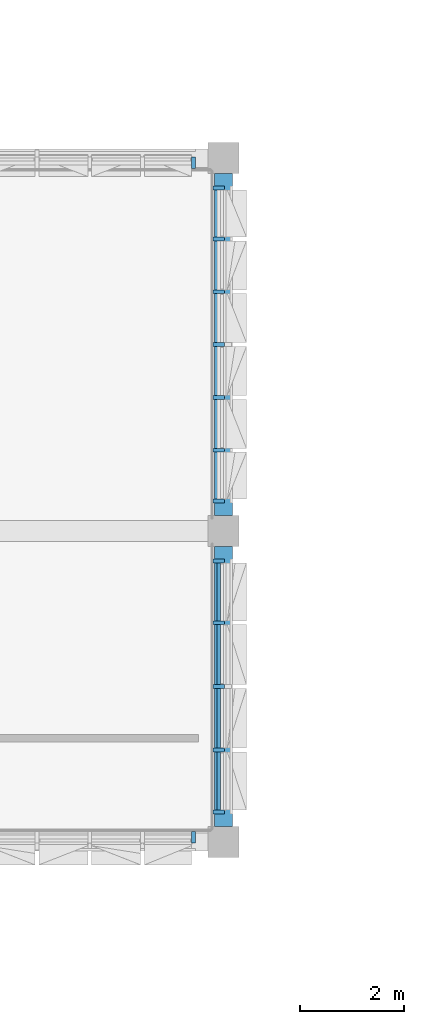
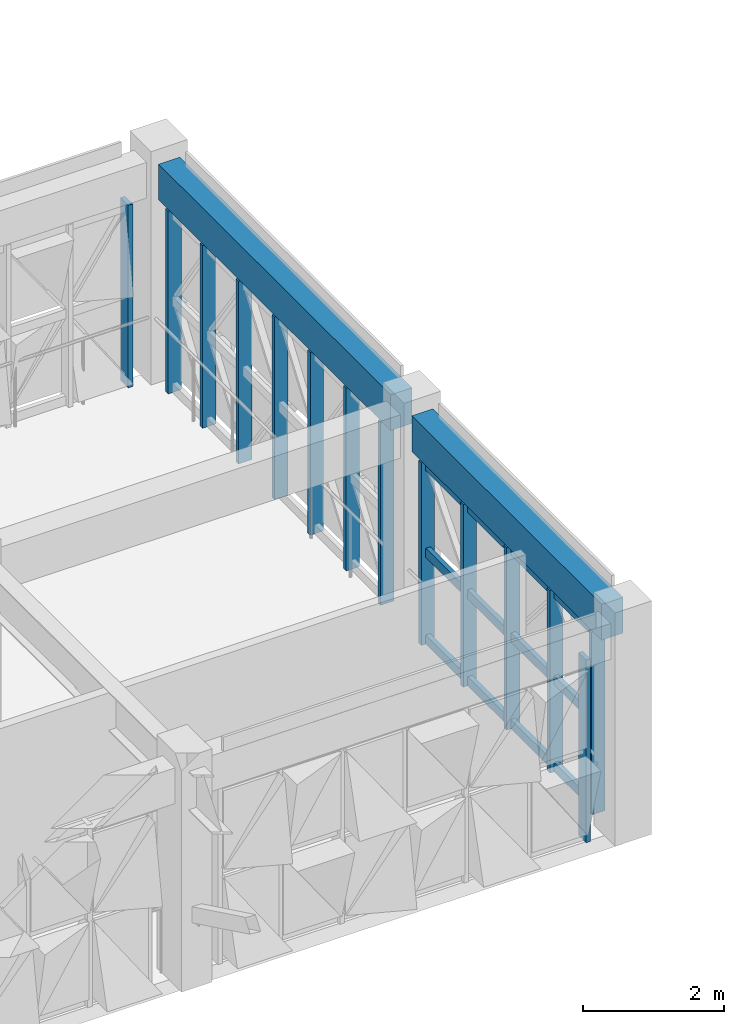
# One storey, part 15 of 88: 26 members, 2 beams, 4 elements without a shape of their own.
"""IFC4 building model written with IfcOpenShell, lengths in metres."""

from ifc_helpers import new_model, si_unit, direction, frame, origin, origin_2d, place, context, subcontext, project, spatial, rectangle, extrude, material, material_profile, profile_set, type_object, element, aggregate, save


model = new_model("IFC4")

# Units and contexts
model_context = context("Model", 3, precision=1e-05, world=origin(), true_north=direction((0.0, 1.0)))
body_context = subcontext(model_context, "Body", "Model", "MODEL_VIEW")
ifc_project = project(units=[si_unit("LENGTHUNIT", "METRE"), si_unit("AREAUNIT", "SQUARE_METRE"), si_unit("VOLUMEUNIT", "CUBIC_METRE"), si_unit("PLANEANGLEUNIT", "RADIAN"), si_unit("MASSUNIT", "GRAM", prefix="KILO")], contexts=[model_context])

# Site, building, storey
site_placement = place(None, origin())
site = spatial("IfcSite", under=ifc_project, at=site_placement, CompositionType="ELEMENT")
building_placement = place(site_placement, origin())
building = spatial("IfcBuilding", under=site, at=building_placement, Name="Alvorim Cloister Faculty of Sciences", CompositionType="ELEMENT")
storey_placement = place(building_placement, frame((0.0, 0.0, 4.5)))
storey = spatial("IfcBuildingStorey", under=building, at=storey_placement, Name="L01", CompositionType="ELEMENT", Elevation=4.5)

# Beams
ifc_material_1 = material(Name="Concrete C40", Category="concrete")
ifc_material_profile_1 = material_profile(ifc_material_1, rectangle(XDim=0.35009765625, YDim=0.6201171875, at=origin_2d()), Name="RC40-SPD-350x620")
ifc_profile_set_1 = profile_set([ifc_material_profile_1], Name="Concrete C40")
beam_type = type_object("IfcBeamType", Name="BM-SPD-RC-350x620", PredefinedType="SPANDREL", material=ifc_profile_set_1)
beam_1_placement = place(storey_placement, frame((64.800048828125, 43.5, 3.47998046875), z_axis=(0.0, 1.0, 0.0), x_axis=(-1.0, 0.0, 0.0)))
element("IfcBeam", 1, at=beam_1_placement, inside=storey, type_object=beam_type, Name="L01 Primary Girder BM-1106", PredefinedType="SPANDREL", context=body_context, shape_type="SweptSolid", body=[
    extrude(rectangle(XDim=0.35009765625, YDim=0.6201171875, at=origin_2d()), origin(), (0.0, 0.0, 1.0), 5.39990234375),
])
beam_2_placement = place(storey_placement, frame((64.800048828125, 49.5, 3.47998046875), z_axis=(0.0, 1.0, 0.0), x_axis=(-1.0, 0.0, 0.0)))
element("IfcBeam", 2, at=beam_2_placement, inside=storey, type_object=beam_type, Name="L01 Primary Girder BM-1107", PredefinedType="SPANDREL", context=body_context, shape_type="SweptSolid", body=[
    extrude(rectangle(XDim=0.35009765625, YDim=0.6201171875, at=origin_2d()), origin(), (0.0, 0.0, 1.0), 6.60009765625),
])

# Curtain wall, member
ifc_material_2 = material(Name="Aluminium and Low-E Glass Curtain Wall", Category="aluminium")
curtain_wall_type_1 = type_object("IfcCurtainWallType", Name="CW-TRI-6120x3170", PredefinedType="USERDEFINED", material=ifc_material_2)
curtain_wall_1_placement = place(storey_placement, origin())
curtain_wall_1 = element("IfcCurtainWall", 3, at=curtain_wall_1_placement, inside=storey, type_object=curtain_wall_type_1, Name="L01 Diagonal Cassette Curtain Wall CW-0016", ObjectType="UNITISED CURTAIN WALL", PredefinedType="USERDEFINED")
ifc_material_3 = material(Name="Aluminium Alloy 6063-T6", Category="aluminium")
ifc_material_profile_2 = material_profile(ifc_material_3, rectangle(XDim=0.074951171875, YDim=0.219970703125, at=origin_2d()), Name="ALU-MUL-75x220")
ifc_profile_set_2 = profile_set([ifc_material_profile_2], Name="Aluminium Alloy 6063-T6")
member_type_1 = type_object("IfcMemberType", Name="CW-MUL-75x220", PredefinedType="MULLION", material=ifc_profile_set_2)
member_1_placement = place(storey_placement, frame((64.222412109375, 56.31005859375, 0.0), z_axis=(0.0, 0.0, 1.0), x_axis=(1.0, 0.0, 0.0)))
member_1 = element("IfcMember", 4, at=member_1_placement, type_object=member_type_1, Name="CW-0016 Mullion 7", PredefinedType="MULLION", context=body_context, shape_type="SweptSolid", body=[
    extrude(rectangle(XDim=0.074951171875, YDim=0.219970703125, at=origin_2d()), origin(), (0.0, 0.0, 1.0), 3.169921875),
])
aggregate(curtain_wall_1, [member_1])

# Curtain wall, members
curtain_wall_2_placement = place(storey_placement, origin())
curtain_wall_2 = element("IfcCurtainWall", 5, at=curtain_wall_2_placement, inside=storey, type_object=curtain_wall_type_1, Name="L01 Diagonal Cassette Curtain Wall CW-0017", ObjectType="UNITISED CURTAIN WALL", PredefinedType="USERDEFINED")
member_2_placement = place(storey_placement, frame((64.7099609375, 49.777587890625, 0.0), z_axis=(0.0, 0.0, 1.0), x_axis=(0.0, 1.0, 0.0)))
member_2 = element("IfcMember", 6, at=member_2_placement, type_object=member_type_1, Name="CW-0017 Mullion 1", PredefinedType="MULLION", context=body_context, shape_type="SweptSolid", body=[
    extrude(rectangle(XDim=0.074951171875, YDim=0.219970703125, at=origin_2d()), origin(), (0.0, 0.0, 1.0), 3.169921875),
])
member_3_placement = place(storey_placement, frame((64.7099609375, 50.760009765625, 0.0), z_axis=(0.0, 0.0, 1.0), x_axis=(0.0, 1.0, 0.0)))
member_3 = element("IfcMember", 7, at=member_3_placement, type_object=member_type_1, Name="CW-0017 Mullion 2", PredefinedType="MULLION", context=body_context, shape_type="SweptSolid", body=[
    extrude(rectangle(XDim=0.074951171875, YDim=0.219970703125, at=origin_2d()), origin(), (0.0, 0.0, 1.0), 3.169921875),
])
member_4_placement = place(storey_placement, frame((64.7099609375, 51.780029296875, 0.0), z_axis=(0.0, 0.0, 1.0), x_axis=(0.0, 1.0, 0.0)))
member_4 = element("IfcMember", 8, at=member_4_placement, type_object=member_type_1, Name="CW-0017 Mullion 3", PredefinedType="MULLION", context=body_context, shape_type="SweptSolid", body=[
    extrude(rectangle(XDim=0.074951171875, YDim=0.219970703125, at=origin_2d()), origin(), (0.0, 0.0, 1.0), 3.169921875),
])
member_5_placement = place(storey_placement, frame((64.7099609375, 52.800048828125, 0.0), z_axis=(0.0, 0.0, 1.0), x_axis=(0.0, 1.0, 0.0)))
member_5 = element("IfcMember", 9, at=member_5_placement, type_object=member_type_1, Name="CW-0017 Mullion 4", PredefinedType="MULLION", context=body_context, shape_type="SweptSolid", body=[
    extrude(rectangle(XDim=0.074951171875, YDim=0.219970703125, at=origin_2d()), origin(), (0.0, 0.0, 1.0), 3.169921875),
])
member_6_placement = place(storey_placement, frame((64.7099609375, 53.820068359375, 0.0), z_axis=(0.0, 0.0, 1.0), x_axis=(0.0, 1.0, 0.0)))
member_6 = element("IfcMember", 10, at=member_6_placement, type_object=member_type_1, Name="CW-0017 Mullion 5", PredefinedType="MULLION", context=body_context, shape_type="SweptSolid", body=[
    extrude(rectangle(XDim=0.074951171875, YDim=0.219970703125, at=origin_2d()), origin(), (0.0, 0.0, 1.0), 3.169921875),
])
member_7_placement = place(storey_placement, frame((64.7099609375, 54.840087890625, 0.0), z_axis=(0.0, 0.0, 1.0), x_axis=(0.0, 1.0, 0.0)))
member_7 = element("IfcMember", 11, at=member_7_placement, type_object=member_type_1, Name="CW-0017 Mullion 6", PredefinedType="MULLION", context=body_context, shape_type="SweptSolid", body=[
    extrude(rectangle(XDim=0.074951171875, YDim=0.219970703125, at=origin_2d()), origin(), (0.0, 0.0, 1.0), 3.169921875),
])
member_8_placement = place(storey_placement, frame((64.7099609375, 55.822509765625, 0.0), z_axis=(0.0, 0.0, 1.0), x_axis=(0.0, 1.0, 0.0)))
member_8 = element("IfcMember", 12, at=member_8_placement, type_object=member_type_1, Name="CW-0017 Mullion 7", PredefinedType="MULLION", context=body_context, shape_type="SweptSolid", body=[
    extrude(rectangle(XDim=0.074951171875, YDim=0.219970703125, at=origin_2d()), origin(), (0.0, 0.0, 1.0), 3.169921875),
])
aggregate(curtain_wall_2, [member_2, member_3, member_4, member_5, member_6, member_7, member_8])

curtain_wall_type_2 = type_object("IfcCurtainWallType", Name="CW-TRI-4920x3170", PredefinedType="USERDEFINED", material=ifc_material_2)
curtain_wall_3_placement = place(storey_placement, origin())
curtain_wall_3 = element("IfcCurtainWall", 13, at=curtain_wall_3_placement, inside=storey, type_object=curtain_wall_type_2, Name="L01 Diagonal Cassette Curtain Wall CW-0018", ObjectType="UNITISED CURTAIN WALL", PredefinedType="USERDEFINED")
member_9_placement = place(storey_placement, frame((64.7099609375, 43.777587890625, 0.0), z_axis=(0.0, 0.0, 1.0), x_axis=(0.0, 1.0, 0.0)))
member_9 = element("IfcMember", 14, at=member_9_placement, type_object=member_type_1, Name="CW-0018 Mullion 1", PredefinedType="MULLION", context=body_context, shape_type="SweptSolid", body=[
    extrude(rectangle(XDim=0.074951171875, YDim=0.219970703125, at=origin_2d()), origin(), (0.0, 0.0, 1.0), 3.169921875),
])
member_10_placement = place(storey_placement, frame((64.7099609375, 44.969970703125, 0.0), z_axis=(0.0, 0.0, 1.0), x_axis=(0.0, 1.0, 0.0)))
member_10 = element("IfcMember", 15, at=member_10_placement, type_object=member_type_1, Name="CW-0018 Mullion 2", PredefinedType="MULLION", context=body_context, shape_type="SweptSolid", body=[
    extrude(rectangle(XDim=0.074951171875, YDim=0.219970703125, at=origin_2d()), origin(), (0.0, 0.0, 1.0), 3.169921875),
])
member_11_placement = place(storey_placement, frame((64.7099609375, 46.199951171875, 0.0), z_axis=(0.0, 0.0, 1.0), x_axis=(0.0, 1.0, 0.0)))
member_11 = element("IfcMember", 16, at=member_11_placement, type_object=member_type_1, Name="CW-0018 Mullion 3", PredefinedType="MULLION", context=body_context, shape_type="SweptSolid", body=[
    extrude(rectangle(XDim=0.074951171875, YDim=0.219970703125, at=origin_2d()), origin(), (0.0, 0.0, 1.0), 3.169921875),
])
member_12_placement = place(storey_placement, frame((64.7099609375, 47.429931640625, 0.0), z_axis=(0.0, 0.0, 1.0), x_axis=(0.0, 1.0, 0.0)))
member_12 = element("IfcMember", 17, at=member_12_placement, type_object=member_type_1, Name="CW-0018 Mullion 4", PredefinedType="MULLION", context=body_context, shape_type="SweptSolid", body=[
    extrude(rectangle(XDim=0.074951171875, YDim=0.219970703125, at=origin_2d()), origin(), (0.0, 0.0, 1.0), 3.169921875),
])
member_13_placement = place(storey_placement, frame((64.7099609375, 48.62255859375, 0.0), z_axis=(0.0, 0.0, 1.0), x_axis=(0.0, 1.0, 0.0)))
member_13 = element("IfcMember", 18, at=member_13_placement, type_object=member_type_1, Name="CW-0018 Mullion 5", PredefinedType="MULLION", context=body_context, shape_type="SweptSolid", body=[
    extrude(rectangle(XDim=0.074951171875, YDim=0.219970703125, at=origin_2d()), origin(), (0.0, 0.0, 1.0), 3.169921875),
])

# Curtain wall, member
curtain_wall_4_placement = place(storey_placement, origin())
curtain_wall_4 = element("IfcCurtainWall", 19, at=curtain_wall_4_placement, inside=storey, type_object=curtain_wall_type_1, Name="L01 Diagonal Cassette Curtain Wall CW-0019", ObjectType="UNITISED CURTAIN WALL", PredefinedType="USERDEFINED")
member_14_placement = place(storey_placement, frame((64.222412109375, 43.2900390625, 0.0), z_axis=(0.0, 0.0, 1.0), x_axis=(1.0, 0.0, 0.0)))
member_14 = element("IfcMember", 20, at=member_14_placement, type_object=member_type_1, Name="CW-0019 Mullion 7", PredefinedType="MULLION", context=body_context, shape_type="SweptSolid", body=[
    extrude(rectangle(XDim=0.074951171875, YDim=0.219970703125, at=origin_2d()), origin(), (0.0, 0.0, 1.0), 3.169921875),
])
aggregate(curtain_wall_4, [member_14])

# Member
ifc_material_profile_3 = material_profile(ifc_material_3, rectangle(XDim=0.074951171875, YDim=0.159912109375, at=origin_2d()), Name="ALU-TRN-75x160")
ifc_profile_set_3 = profile_set([ifc_material_profile_3], Name="Aluminium Alloy 6063-T6")
member_type_2 = type_object("IfcMemberType", Name="CW-TRN-75x160", PredefinedType="USERDEFINED", material=ifc_profile_set_3)
member_15_placement = place(storey_placement, frame((64.7099609375, 43.81494140625, 0.080078125), z_axis=(0.0, 1.0, 0.0), x_axis=(-1.0, 0.0, 0.0)))
member_15 = element("IfcMember", 21, at=member_15_placement, type_object=member_type_2, Name="CW-0018 Transom 1.1", ObjectType="TRANSOM", PredefinedType="USERDEFINED", context=body_context, shape_type="SweptSolid", body=[
    extrude(rectangle(XDim=0.074951171875, YDim=0.159912109375, at=origin_2d()), origin(), (0.0, 0.0, 1.0), 1.11767578125),
])

member_16_placement = place(storey_placement, frame((64.7099609375, 43.81494140625, 1.5849609375), z_axis=(0.0, 1.0, 0.0), x_axis=(-1.0, 0.0, 0.0)))
member_16 = element("IfcMember", 22, at=member_16_placement, type_object=member_type_2, Name="CW-0018 Transom 1.2", ObjectType="TRANSOM", PredefinedType="USERDEFINED", context=body_context, shape_type="SweptSolid", body=[
    extrude(rectangle(XDim=0.074951171875, YDim=0.159912109375, at=origin_2d()), origin(), (0.0, 0.0, 1.0), 1.11767578125),
])

member_17_placement = place(storey_placement, frame((64.7099609375, 43.81494140625, 3.090087890625), z_axis=(0.0, 1.0, 0.0), x_axis=(-1.0, 0.0, 0.0)))
member_17 = element("IfcMember", 23, at=member_17_placement, type_object=member_type_2, Name="CW-0018 Transom 1.3", ObjectType="TRANSOM", PredefinedType="USERDEFINED", context=body_context, shape_type="SweptSolid", body=[
    extrude(rectangle(XDim=0.074951171875, YDim=0.159912109375, at=origin_2d()), origin(), (0.0, 0.0, 1.0), 1.11767578125),
])

member_18_placement = place(storey_placement, frame((64.7099609375, 45.007568359375, 0.080078125), z_axis=(0.0, 1.0, 0.0), x_axis=(-1.0, 0.0, 0.0)))
member_18 = element("IfcMember", 24, at=member_18_placement, type_object=member_type_2, Name="CW-0018 Transom 2.1", ObjectType="TRANSOM", PredefinedType="USERDEFINED", context=body_context, shape_type="SweptSolid", body=[
    extrude(rectangle(XDim=0.074951171875, YDim=0.159912109375, at=origin_2d()), origin(), (0.0, 0.0, 1.0), 1.155029296875),
])

member_19_placement = place(storey_placement, frame((64.7099609375, 45.007568359375, 1.5849609375), z_axis=(0.0, 1.0, 0.0), x_axis=(-1.0, 0.0, 0.0)))
member_19 = element("IfcMember", 25, at=member_19_placement, type_object=member_type_2, Name="CW-0018 Transom 2.2", ObjectType="TRANSOM", PredefinedType="USERDEFINED", context=body_context, shape_type="SweptSolid", body=[
    extrude(rectangle(XDim=0.074951171875, YDim=0.159912109375, at=origin_2d()), origin(), (0.0, 0.0, 1.0), 1.155029296875),
])

member_20_placement = place(storey_placement, frame((64.7099609375, 45.007568359375, 3.090087890625), z_axis=(0.0, 1.0, 0.0), x_axis=(-1.0, 0.0, 0.0)))
member_20 = element("IfcMember", 26, at=member_20_placement, type_object=member_type_2, Name="CW-0018 Transom 2.3", ObjectType="TRANSOM", PredefinedType="USERDEFINED", context=body_context, shape_type="SweptSolid", body=[
    extrude(rectangle(XDim=0.074951171875, YDim=0.159912109375, at=origin_2d()), origin(), (0.0, 0.0, 1.0), 1.155029296875),
])

member_21_placement = place(storey_placement, frame((64.7099609375, 46.237548828125, 0.080078125), z_axis=(0.0, 1.0, 0.0), x_axis=(-1.0, 0.0, 0.0)))
member_21 = element("IfcMember", 27, at=member_21_placement, type_object=member_type_2, Name="CW-0018 Transom 3.1", ObjectType="TRANSOM", PredefinedType="USERDEFINED", context=body_context, shape_type="SweptSolid", body=[
    extrude(rectangle(XDim=0.074951171875, YDim=0.159912109375, at=origin_2d()), origin(), (0.0, 0.0, 1.0), 1.155029296875),
])

member_22_placement = place(storey_placement, frame((64.7099609375, 46.237548828125, 1.5849609375), z_axis=(0.0, 1.0, 0.0), x_axis=(-1.0, 0.0, 0.0)))
member_22 = element("IfcMember", 28, at=member_22_placement, type_object=member_type_2, Name="CW-0018 Transom 3.2", ObjectType="TRANSOM", PredefinedType="USERDEFINED", context=body_context, shape_type="SweptSolid", body=[
    extrude(rectangle(XDim=0.074951171875, YDim=0.159912109375, at=origin_2d()), origin(), (0.0, 0.0, 1.0), 1.155029296875),
])

member_23_placement = place(storey_placement, frame((64.7099609375, 46.237548828125, 3.090087890625), z_axis=(0.0, 1.0, 0.0), x_axis=(-1.0, 0.0, 0.0)))
member_23 = element("IfcMember", 29, at=member_23_placement, type_object=member_type_2, Name="CW-0018 Transom 3.3", ObjectType="TRANSOM", PredefinedType="USERDEFINED", context=body_context, shape_type="SweptSolid", body=[
    extrude(rectangle(XDim=0.074951171875, YDim=0.159912109375, at=origin_2d()), origin(), (0.0, 0.0, 1.0), 1.155029296875),
])

member_24_placement = place(storey_placement, frame((64.7099609375, 47.467529296875, 0.080078125), z_axis=(0.0, 1.0, 0.0), x_axis=(-1.0, 0.0, 0.0)))
member_24 = element("IfcMember", 30, at=member_24_placement, type_object=member_type_2, Name="CW-0018 Transom 4.1", ObjectType="TRANSOM", PredefinedType="USERDEFINED", context=body_context, shape_type="SweptSolid", body=[
    extrude(rectangle(XDim=0.074951171875, YDim=0.159912109375, at=origin_2d()), origin(), (0.0, 0.0, 1.0), 1.117431640625),
])

member_25_placement = place(storey_placement, frame((64.7099609375, 47.467529296875, 1.5849609375), z_axis=(0.0, 1.0, 0.0), x_axis=(-1.0, 0.0, 0.0)))
member_25 = element("IfcMember", 31, at=member_25_placement, type_object=member_type_2, Name="CW-0018 Transom 4.2", ObjectType="TRANSOM", PredefinedType="USERDEFINED", context=body_context, shape_type="SweptSolid", body=[
    extrude(rectangle(XDim=0.074951171875, YDim=0.159912109375, at=origin_2d()), origin(), (0.0, 0.0, 1.0), 1.117431640625),
])

member_26_placement = place(storey_placement, frame((64.7099609375, 47.467529296875, 3.090087890625), z_axis=(0.0, 1.0, 0.0), x_axis=(-1.0, 0.0, 0.0)))
member_26 = element("IfcMember", 32, at=member_26_placement, type_object=member_type_2, Name="CW-0018 Transom 4.3", ObjectType="TRANSOM", PredefinedType="USERDEFINED", context=body_context, shape_type="SweptSolid", body=[
    extrude(rectangle(XDim=0.074951171875, YDim=0.159912109375, at=origin_2d()), origin(), (0.0, 0.0, 1.0), 1.117431640625),
])

aggregate(curtain_wall_3, [member_9, member_10, member_11, member_12, member_13, member_15, member_16, member_17, member_18, member_19, member_20, member_21, member_22, member_23, member_24, member_25, member_26])

save(model, "model.ifc")
